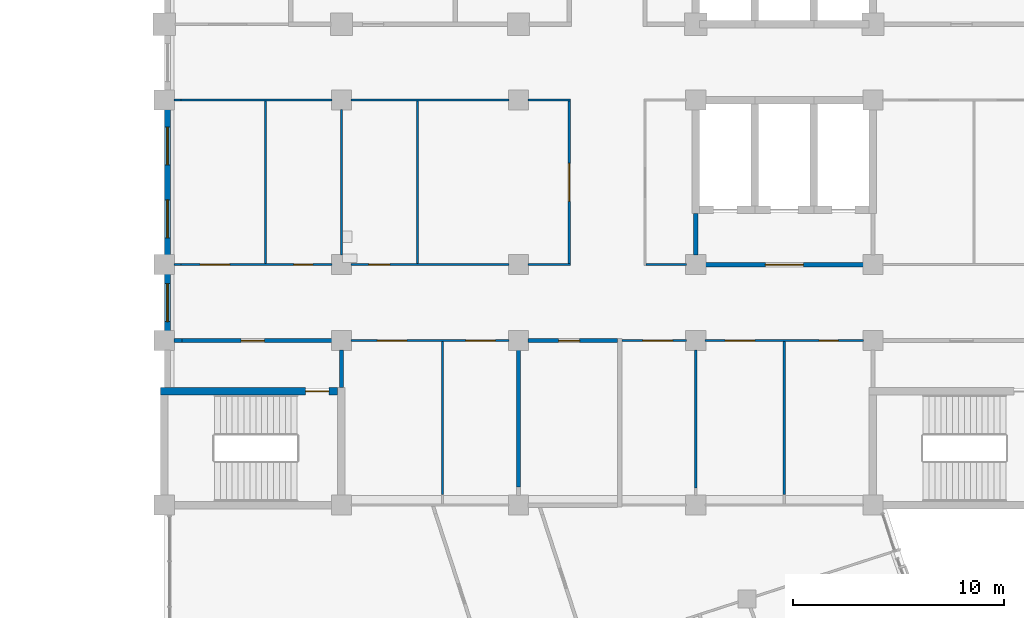
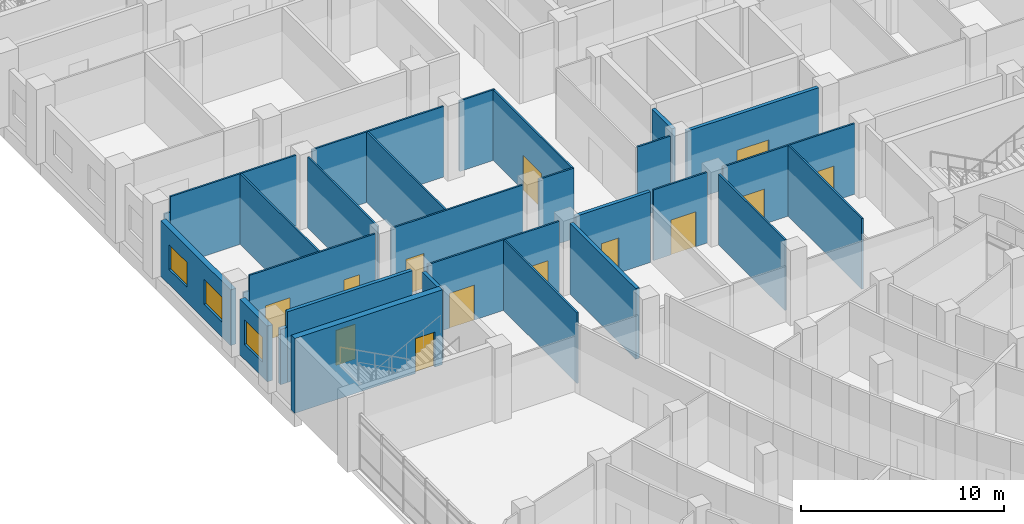
# One storey, part 67 of 136: 29 walls, 13 doors, 3 windows, 16 openings.
"""IFC4 building model written with IfcOpenShell, lengths in metres."""

from ifc_helpers import new_model, si_unit, direction, frame, frame_2d, origin, place, context, subcontext, project, spatial, rectangle, extrude, material, layer, layer_set, type_object, element, fill, save


model = new_model("IFC4")

# Units and contexts
model_context = context("Model", 3, precision=1e-05, world=origin(), true_north=direction((0.0, 1.0)))
body_context = subcontext(model_context, "Body", "Model", "MODEL_VIEW")
ifc_project = project(units=[si_unit("LENGTHUNIT", "METRE"), si_unit("AREAUNIT", "SQUARE_METRE"), si_unit("VOLUMEUNIT", "CUBIC_METRE"), si_unit("PLANEANGLEUNIT", "RADIAN"), si_unit("MASSUNIT", "GRAM", prefix="KILO")], contexts=[model_context])

# Site, building, storey
site_placement = place(None, origin())
site = spatial("IfcSite", under=ifc_project, at=site_placement, CompositionType="ELEMENT")
building_placement = place(site_placement, origin())
building = spatial("IfcBuilding", under=site, at=building_placement, Name="Bougainvillea Quay General Hospital", CompositionType="ELEMENT")
storey_placement = place(building_placement, frame((0.0, 0.0, 5.39990234375)))
storey = spatial("IfcBuildingStorey", under=building, at=storey_placement, Name="L01", CompositionType="ELEMENT", Elevation=5.39990234375)

# Wall, openings, windows
ifc_material_1 = material(Name="Pale stone rainscreen cladding on insulated masonry backing, pale stone", Category="masonry")
ifc_layer_1 = layer(ifc_material_1, 0.300048828125)
ifc_layer_set_1 = layer_set([ifc_layer_1], Name="Pale stone rainscreen cladding on insulated masonry backing, pale stone")
wall_type_1 = type_object("IfcWallType", Name="External wall pale stone rainscreen 300", PredefinedType="STANDARD", material=ifc_layer_set_1)
wall_1_placement = place(storey_placement, frame((42.14990234375, 136.35009765625, 0.0), z_axis=(0.0, 0.0, 1.0), x_axis=(0.0, -1.0, 0.0)))
wall_1 = element("IfcWall", 1, at=wall_1_placement, inside=storey, type_object=wall_type_1, Name="External wall wall/V4/L01/p0/10e", PredefinedType="STANDARD", context=body_context, shape_type="SweptSolid", body=[
    extrude(rectangle(XDim=6.900146484375, YDim=0.300048828125, at=frame_2d((3.4501953125, 0.0))), origin(), (0.0, 0.0, 1.0), 3.35009765625),
])
opening_1_placement = place(wall_1_placement, frame((0.824951171875, 0.0, 0.89990234375)))
opening_1 = element("IfcOpeningElement", 2, at=opening_1_placement, cuts=wall_1, Name="Opening W1", PredefinedType="OPENING", context=body_context, shape_type="SweptSolid", body=[
    extrude(rectangle(XDim=1.800048828125, YDim=1.5, at=frame_2d((0.89990234375, 0.75))), frame((0.0, 0.159912109375, 0.0), z_axis=(0.0, -1.0, 0.0), x_axis=(1.0, 0.0, 0.0)), (0.0, 0.0, 1.0), 0.320068359375),
])
opening_2_placement = place(wall_1_placement, frame((4.27490234375, 0.0, 0.89990234375)))
opening_2 = element("IfcOpeningElement", 3, at=opening_2_placement, cuts=wall_1, Name="Opening W1", PredefinedType="OPENING", context=body_context, shape_type="SweptSolid", body=[
    extrude(rectangle(XDim=1.800048828125, YDim=1.5, at=frame_2d((0.89990234375, 0.75))), frame((0.0, 0.159912109375, 0.0), z_axis=(0.0, -1.0, 0.0), x_axis=(1.0, 0.0, 0.0)), (0.0, 0.0, 1.0), 0.320068359375),
])
ifc_material_2 = material(Name="Aluminium window frame with low-e double glazed unit", Category="aluminium")
window_type = type_object("IfcWindowType", Name="Window W1 1800x1500", PartitioningType="DOUBLE_PANEL_VERTICAL", PredefinedType="WINDOW", material=ifc_material_2)
window_1_placement = place(opening_1_placement, origin())
window_1 = element("IfcWindow", 4, at=window_1_placement, inside=storey, type_object=window_type, Name="Window W1 1", OverallHeight=1.5, OverallWidth=1.800048828125, PartitioningType="SINGLE_PANEL", PredefinedType="WINDOW", context=body_context, shape_type="SweptSolid", body=[
    extrude(rectangle(XDim=1.800048828125, YDim=1.5, at=frame_2d((0.89990234375, 0.75))), frame((0.0, 0.030029296875, 0.0), z_axis=(0.0, -1.0, 0.0), x_axis=(1.0, 0.0, 0.0)), (0.0, 0.0, 1.0), 0.06005859375),
])
fill(opening_1, window_1)
window_2_placement = place(opening_2_placement, origin())
window_2 = element("IfcWindow", 5, at=window_2_placement, inside=storey, type_object=window_type, Name="Window W1 2", OverallHeight=1.5, OverallWidth=1.800048828125, PartitioningType="SINGLE_PANEL", PredefinedType="WINDOW", context=body_context, shape_type="SweptSolid", body=[
    extrude(rectangle(XDim=1.800048828125, YDim=1.5, at=frame_2d((0.89990234375, 0.75))), frame((0.0, 0.030029296875, 0.0), z_axis=(0.0, -1.0, 0.0), x_axis=(1.0, 0.0, 0.0)), (0.0, 0.0, 1.0), 0.06005859375),
])
fill(opening_2, window_2)

# Wall, opening, window
wall_2_placement = place(storey_placement, frame((42.14990234375, 128.550048828125, 0.0), z_axis=(0.0, 0.0, 1.0), x_axis=(0.0, -1.0, 0.0)))
wall_2 = element("IfcWall", 6, at=wall_2_placement, inside=storey, type_object=wall_type_1, Name="External wall wall/V4/L01/p0/10f", PredefinedType="STANDARD", context=body_context, shape_type="SweptSolid", body=[
    extrude(rectangle(XDim=2.699951171875, YDim=0.300048828125, at=frame_2d((1.35009765625, 0.0))), origin(), (0.0, 0.0, 1.0), 3.35009765625),
])
opening_3_placement = place(wall_2_placement, frame((0.449951171875, 0.0, 0.89990234375)))
opening_3 = element("IfcOpeningElement", 7, at=opening_3_placement, cuts=wall_2, Name="Opening W1", PredefinedType="OPENING", context=body_context, shape_type="SweptSolid", body=[
    extrude(rectangle(XDim=1.800048828125, YDim=1.5, at=frame_2d((0.89990234375, 0.75))), frame((0.0, 0.159912109375, 0.0), z_axis=(0.0, -1.0, 0.0), x_axis=(1.0, 0.0, 0.0)), (0.0, 0.0, 1.0), 0.320068359375),
])
window_3_placement = place(opening_3_placement, origin())
window_3 = element("IfcWindow", 8, at=window_3_placement, inside=storey, type_object=window_type, Name="Window W1 1", OverallHeight=1.5, OverallWidth=1.800048828125, PartitioningType="SINGLE_PANEL", PredefinedType="WINDOW", context=body_context, shape_type="SweptSolid", body=[
    extrude(rectangle(XDim=1.800048828125, YDim=1.5, at=frame_2d((0.89990234375, 0.75))), frame((0.0, 0.030029296875, 0.0), z_axis=(0.0, -1.0, 0.0), x_axis=(1.0, 0.0, 0.0)), (0.0, 0.0, 1.0), 0.06005859375),
])
fill(opening_3, window_3)

# Wall
ifc_material_3 = material(Name="Gypsum board partition on steel studs", Category="steel")
ifc_layer_2 = layer(ifc_material_3, 0.10009765625)
ifc_layer_set_2 = layer_set([ifc_layer_2], Name="Gypsum board partition on steel studs")
wall_type_2 = type_object("IfcWallType", Name="Partition 100 Gypsum board partition", PredefinedType="PARTITIONING", material=ifc_layer_set_2)
wall_3_placement = place(storey_placement, frame((61.25, 129.0, 0.0), z_axis=(0.0, 0.0, 1.0), x_axis=(-1.0, 0.0, 0.0)))
element("IfcWall", 9, at=wall_3_placement, inside=storey, type_object=wall_type_2, Name="Partition 100 mm", PredefinedType="PARTITIONING", context=body_context, shape_type="SweptSolid", body=[
    extrude(rectangle(XDim=2.0, YDim=0.10009765625, at=frame_2d((1.0, 0.0))), origin(), (0.0, 0.0, 1.0), 4.25),
])

# Wall, opening, door
wall_4_placement = place(storey_placement, frame((58.35009765625, 129.0, 0.0), z_axis=(0.0, 0.0, 1.0), x_axis=(-1.0, 0.0, 0.0)))
wall_4 = element("IfcWall", 10, at=wall_4_placement, inside=storey, type_object=wall_type_2, Name="Partition 100 mm", PredefinedType="PARTITIONING", context=body_context, shape_type="SweptSolid", body=[
    extrude(rectangle(XDim=7.5, YDim=0.10009765625, at=frame_2d((3.75, 0.0))), origin(), (0.0, 0.0, 1.0), 4.25),
])
opening_4_placement = place(wall_4_placement, frame((5.64990234375, 0.0, 0.0)))
opening_4 = element("IfcOpeningElement", 11, at=opening_4_placement, cuts=wall_4, Name="Opening L01.138", PredefinedType="OPENING", context=body_context, shape_type="SweptSolid", body=[
    extrude(rectangle(XDim=1.0, YDim=2.10009765625, at=frame_2d((0.5, 1.050048828125))), frame((0.0, 0.06005859375, 0.0), z_axis=(0.0, -1.0, 0.0), x_axis=(1.0, 0.0, 0.0)), (0.0, 0.0, 1.0), 0.1201171875),
])
ifc_material_4 = material(Name="Solid-core timber door leaf in steel frame", Category="steel")
door_type_1 = type_object("IfcDoorType", Name="Single leaf door 1000x2100", OperationType="NOTDEFINED", PredefinedType="DOOR", material=ifc_material_4)
door_1_placement = place(opening_4_placement, frame((1.0, 0.0, 0.0), z_axis=(0.0, 0.0, 1.0), x_axis=(-1.0, 0.0, 0.0)))
door_1 = element("IfcDoor", 12, at=door_1_placement, inside=storey, type_object=door_type_1, Name="DT06 L01.138", OperationType="SINGLE_SWING_LEFT", OverallHeight=2.10009765625, OverallWidth=1.0, PredefinedType="DOOR", context=body_context, shape_type="SweptSolid", body=[
    extrude(rectangle(XDim=1.0, YDim=2.10009765625, at=frame_2d((0.5, 1.050048828125))), frame((0.0, 0.02490234375, 0.0), z_axis=(0.0, -1.0, 0.0), x_axis=(1.0, 0.0, 0.0)), (0.0, 0.0, 1.0), 0.050048828125),
])
fill(opening_4, door_1)

# Wall, openings, doors
wall_5_placement = place(storey_placement, frame((49.949951171875, 129.0, 0.0), z_axis=(0.0, 0.0, 1.0), x_axis=(-1.0, 0.0, 0.0)))
wall_5 = element("IfcWall", 13, at=wall_5_placement, inside=storey, type_object=wall_type_2, Name="Partition 100 mm", PredefinedType="PARTITIONING", context=body_context, shape_type="SweptSolid", body=[
    extrude(rectangle(XDim=7.14990234375, YDim=0.10009765625, at=frame_2d((3.574951171875, 0.0))), origin(), (0.0, 0.0, 1.0), 4.25),
])
opening_5_placement = place(wall_5_placement, frame((4.85009765625, 0.0, 0.0)))
opening_5 = element("IfcOpeningElement", 14, at=opening_5_placement, cuts=wall_5, Name="Opening L01.136", PredefinedType="OPENING", context=body_context, shape_type="SweptSolid", body=[
    extrude(rectangle(XDim=1.39990234375, YDim=2.10009765625, at=frame_2d((0.699951171875, 1.050048828125))), frame((0.0, 0.06005859375, 0.0), z_axis=(0.0, -1.0, 0.0), x_axis=(1.0, 0.0, 0.0)), (0.0, 0.0, 1.0), 0.1201171875),
])
opening_6_placement = place(wall_5_placement, frame((0.89990234375, 0.0, 0.0)))
opening_6 = element("IfcOpeningElement", 15, at=opening_6_placement, cuts=wall_5, Name="Opening L01.137", PredefinedType="OPENING", context=body_context, shape_type="SweptSolid", body=[
    extrude(rectangle(XDim=0.89990234375, YDim=2.10009765625, at=frame_2d((0.449951171875, 1.050048828125))), frame((0.0, 0.06005859375, 0.0), z_axis=(0.0, -1.0, 0.0), x_axis=(1.0, 0.0, 0.0)), (0.0, 0.0, 1.0), 0.1201171875),
])
ifc_material_5 = material(Name="Solid-core timber door leaves in steel frame", Category="steel")
door_type_2 = type_object("IfcDoorType", Name="Bed door pair 1400x2100", OperationType="DOUBLE_DOOR_SINGLE_SWING", PredefinedType="DOOR", material=ifc_material_5)
door_2_placement = place(opening_5_placement, frame((1.39990234375, 0.0, 0.0), z_axis=(0.0, 0.0, 1.0), x_axis=(-1.0, 0.0, 0.0)))
door_2 = element("IfcDoor", 16, at=door_2_placement, inside=storey, type_object=door_type_2, Name="DT09 L01.136", OperationType="DOUBLE_DOOR_SINGLE_SWING", OverallHeight=2.10009765625, OverallWidth=1.39990234375, PredefinedType="DOOR", context=body_context, shape_type="SweptSolid", body=[
    extrude(rectangle(XDim=1.39990234375, YDim=2.10009765625, at=frame_2d((0.699951171875, 1.050048828125))), frame((0.0, 0.02490234375, 0.0), z_axis=(0.0, -1.0, 0.0), x_axis=(1.0, 0.0, 0.0)), (0.0, 0.0, 1.0), 0.050048828125),
])
fill(opening_5, door_2)
door_type_3 = type_object("IfcDoorType", Name="Single leaf door 900x2100", OperationType="NOTDEFINED", PredefinedType="DOOR", material=ifc_material_4)
door_3_placement = place(opening_6_placement, frame((0.89990234375, 0.0, 0.0), z_axis=(0.0, 0.0, 1.0), x_axis=(-1.0, 0.0, 0.0)))
door_3 = element("IfcDoor", 17, at=door_3_placement, inside=storey, type_object=door_type_3, Name="DT07 L01.137", OperationType="SINGLE_SWING_RIGHT", OverallHeight=2.10009765625, OverallWidth=0.89990234375, PredefinedType="DOOR", context=body_context, shape_type="SweptSolid", body=[
    extrude(rectangle(XDim=0.89990234375, YDim=2.10009765625, at=frame_2d((0.449951171875, 1.050048828125))), frame((0.0, 0.02490234375, 0.0), z_axis=(0.0, -1.0, 0.0), x_axis=(1.0, 0.0, 0.0)), (0.0, 0.0, 1.0), 0.050048828125),
])
fill(opening_6, door_3)

# Walls
wall_6_placement = place(storey_placement, frame((42.800048828125, 129.0, 0.0), z_axis=(0.0, 0.0, 1.0), x_axis=(-1.0, 0.0, 0.0)))
element("IfcWall", 18, at=wall_6_placement, inside=storey, type_object=wall_type_2, Name="Partition 100 mm", PredefinedType="PARTITIONING", context=body_context, shape_type="SweptSolid", body=[
    extrude(rectangle(XDim=0.35009765625, YDim=0.10009765625, at=frame_2d((0.175048828125, 0.0))), origin(), (0.0, 0.0, 1.0), 3.330078125),
])
wall_7_placement = place(storey_placement, frame((61.25, 136.800048828125, 0.0), z_axis=(0.0, 0.0, 1.0), x_axis=(-1.0, 0.0, 0.0)))
element("IfcWall", 19, at=wall_7_placement, inside=storey, type_object=wall_type_2, Name="Partition 100 mm", PredefinedType="PARTITIONING", context=body_context, shape_type="SweptSolid", body=[
    extrude(rectangle(XDim=2.0, YDim=0.10009765625, at=frame_2d((1.0, 0.0))), origin(), (0.0, 0.0, 1.0), 4.25),
])
wall_8_placement = place(storey_placement, frame((58.35009765625, 136.800048828125, 0.0), z_axis=(0.0, 0.0, 1.0), x_axis=(-1.0, 0.0, 0.0)))
element("IfcWall", 20, at=wall_8_placement, inside=storey, type_object=wall_type_2, Name="Partition 100 mm", PredefinedType="PARTITIONING", context=body_context, shape_type="SweptSolid", body=[
    extrude(rectangle(XDim=7.5, YDim=0.10009765625, at=frame_2d((3.75, 0.0))), origin(), (0.0, 0.0, 1.0), 4.25),
])
wall_9_placement = place(storey_placement, frame((49.949951171875, 136.800048828125, 0.0), z_axis=(0.0, 0.0, 1.0), x_axis=(-1.0, 0.0, 0.0)))
element("IfcWall", 21, at=wall_9_placement, inside=storey, type_object=wall_type_2, Name="Partition 100 mm", PredefinedType="PARTITIONING", context=body_context, shape_type="SweptSolid", body=[
    extrude(rectangle(XDim=7.14990234375, YDim=0.10009765625, at=frame_2d((3.574951171875, 0.0))), origin(), (0.0, 0.0, 1.0), 4.25),
])
wall_10_placement = place(storey_placement, frame((42.800048828125, 136.800048828125, 0.0), z_axis=(0.0, 0.0, 1.0), x_axis=(-1.0, 0.0, 0.0)))
element("IfcWall", 22, at=wall_10_placement, inside=storey, type_object=wall_type_2, Name="Partition 100 mm", PredefinedType="PARTITIONING", context=body_context, shape_type="SweptSolid", body=[
    extrude(rectangle(XDim=0.35009765625, YDim=0.10009765625, at=frame_2d((0.175048828125, 0.0))), origin(), (0.0, 0.0, 1.0), 3.330078125),
])

# Wall, openings, doors
wall_11_placement = place(storey_placement, frame((75.14990234375, 125.39990234375, 0.0), z_axis=(0.0, 0.0, 1.0), x_axis=(-1.0, 0.0, 0.0)))
wall_11 = element("IfcWall", 23, at=wall_11_placement, inside=storey, type_object=wall_type_2, Name="Partition 100 mm", PredefinedType="PARTITIONING", context=body_context, shape_type="SweptSolid", body=[
    extrude(rectangle(XDim=7.5, YDim=0.10009765625, at=frame_2d((3.75, 0.0))), origin(), (0.0, 0.0, 1.0), 4.25),
])
opening_7_placement = place(wall_11_placement, frame((5.152099609375, 0.0, 0.0)))
opening_7 = element("IfcOpeningElement", 24, at=opening_7_placement, cuts=wall_11, Name="Opening L01.134", PredefinedType="OPENING", context=body_context, shape_type="SweptSolid", body=[
    extrude(rectangle(XDim=1.39990234375, YDim=2.10009765625, at=frame_2d((0.699951171875, 1.050048828125))), frame((0.0, 0.06005859375, 0.0), z_axis=(0.0, -1.0, 0.0), x_axis=(1.0, 0.0, 0.0)), (0.0, 0.0, 1.0), 0.1201171875),
])
opening_8_placement = place(wall_11_placement, frame((1.200927734375, 0.0, 0.0)))
opening_8 = element("IfcOpeningElement", 25, at=opening_8_placement, cuts=wall_11, Name="Opening L01.135", PredefinedType="OPENING", context=body_context, shape_type="SweptSolid", body=[
    extrude(rectangle(XDim=0.89990234375, YDim=2.10009765625, at=frame_2d((0.449951171875, 1.050048828125))), frame((0.0, 0.06005859375, 0.0), z_axis=(0.0, -1.0, 0.0), x_axis=(1.0, 0.0, 0.0)), (0.0, 0.0, 1.0), 0.1201171875),
])
door_4_placement = place(opening_7_placement, origin())
door_4 = element("IfcDoor", 26, at=door_4_placement, inside=storey, type_object=door_type_2, Name="DT09 L01.134", OperationType="DOUBLE_DOOR_SINGLE_SWING", OverallHeight=2.10009765625, OverallWidth=1.39990234375, PredefinedType="DOOR", context=body_context, shape_type="SweptSolid", body=[
    extrude(rectangle(XDim=1.39990234375, YDim=2.10009765625, at=frame_2d((0.699951171875, 1.050048828125))), frame((0.0, 0.02490234375, 0.0), z_axis=(0.0, -1.0, 0.0), x_axis=(1.0, 0.0, 0.0)), (0.0, 0.0, 1.0), 0.050048828125),
])
fill(opening_7, door_4)
door_5_placement = place(opening_8_placement, origin())
door_5 = element("IfcDoor", 27, at=door_5_placement, inside=storey, type_object=door_type_3, Name="DT07 L01.135", OperationType="SINGLE_SWING_LEFT", OverallHeight=2.10009765625, OverallWidth=0.89990234375, PredefinedType="DOOR", context=body_context, shape_type="SweptSolid", body=[
    extrude(rectangle(XDim=0.89990234375, YDim=2.10009765625, at=frame_2d((0.449951171875, 1.050048828125))), frame((0.0, 0.02490234375, 0.0), z_axis=(0.0, -1.0, 0.0), x_axis=(1.0, 0.0, 0.0)), (0.0, 0.0, 1.0), 0.050048828125),
])
fill(opening_8, door_5)

# Wall, opening, door
wall_12_placement = place(storey_placement, frame((66.75, 125.39990234375, 0.0), z_axis=(0.0, 0.0, 1.0), x_axis=(-1.0, 0.0, 0.0)))
wall_12 = element("IfcWall", 28, at=wall_12_placement, inside=storey, type_object=wall_type_2, Name="Partition 100 mm", PredefinedType="PARTITIONING", context=body_context, shape_type="SweptSolid", body=[
    extrude(rectangle(XDim=3.052001953125, YDim=0.10009765625, at=frame_2d((1.52587890625, 0.0))), origin(), (0.0, 0.0, 1.0), 4.25),
])
opening_9_placement = place(wall_12_placement, frame((0.652099609375, 0.0, 0.0)))
opening_9 = element("IfcOpeningElement", 29, at=opening_9_placement, cuts=wall_12, Name="Opening L01.133", PredefinedType="OPENING", context=body_context, shape_type="SweptSolid", body=[
    extrude(rectangle(XDim=1.39990234375, YDim=2.10009765625, at=frame_2d((0.699951171875, 1.050048828125))), frame((0.0, 0.06005859375, 0.0), z_axis=(0.0, -1.0, 0.0), x_axis=(1.0, 0.0, 0.0)), (0.0, 0.0, 1.0), 0.1201171875),
])
door_6_placement = place(opening_9_placement, origin())
door_6 = element("IfcDoor", 30, at=door_6_placement, inside=storey, type_object=door_type_2, Name="DT09 L01.133", OperationType="DOUBLE_DOOR_SINGLE_SWING", OverallHeight=2.10009765625, OverallWidth=1.39990234375, PredefinedType="DOOR", context=body_context, shape_type="SweptSolid", body=[
    extrude(rectangle(XDim=1.39990234375, YDim=2.10009765625, at=frame_2d((0.699951171875, 1.050048828125))), frame((0.0, 0.02490234375, 0.0), z_axis=(0.0, -1.0, 0.0), x_axis=(1.0, 0.0, 0.0)), (0.0, 0.0, 1.0), 0.050048828125),
])
fill(opening_9, door_6)

# Wall, openings, doors
wall_13_placement = place(storey_placement, frame((50.85009765625, 125.39990234375, 0.0), z_axis=(0.0, 0.0, 1.0), x_axis=(1.0, 0.0, 0.0)))
wall_13 = element("IfcWall", 31, at=wall_13_placement, inside=storey, type_object=wall_type_2, Name="Partition 100 mm", PredefinedType="PARTITIONING", context=body_context, shape_type="SweptSolid", body=[
    extrude(rectangle(XDim=7.5, YDim=0.10009765625, at=frame_2d((3.75, 0.0))), origin(), (0.0, 0.0, 1.0), 4.25),
])
opening_10_placement = place(wall_13_placement, frame((1.2490234375, 0.0, 0.0)))
opening_10 = element("IfcOpeningElement", 32, at=opening_10_placement, cuts=wall_13, Name="Opening L01.130", PredefinedType="OPENING", context=body_context, shape_type="SweptSolid", body=[
    extrude(rectangle(XDim=1.39990234375, YDim=2.10009765625, at=frame_2d((0.699951171875, 1.050048828125))), frame((0.0, 0.06005859375, 0.0), z_axis=(0.0, -1.0, 0.0), x_axis=(1.0, 0.0, 0.0)), (0.0, 0.0, 1.0), 0.1201171875),
])
opening_11_placement = place(wall_13_placement, frame((5.447998046875, 0.0, 0.0)))
opening_11 = element("IfcOpeningElement", 33, at=opening_11_placement, cuts=wall_13, Name="Opening L01.131", PredefinedType="OPENING", context=body_context, shape_type="SweptSolid", body=[
    extrude(rectangle(XDim=1.39990234375, YDim=2.10009765625, at=frame_2d((0.699951171875, 1.050048828125))), frame((0.0, 0.06005859375, 0.0), z_axis=(0.0, -1.0, 0.0), x_axis=(1.0, 0.0, 0.0)), (0.0, 0.0, 1.0), 0.1201171875),
])
door_7_placement = place(opening_10_placement, frame((1.39990234375, 0.0, 0.0), z_axis=(0.0, 0.0, 1.0), x_axis=(-1.0, 0.0, 0.0)))
door_7 = element("IfcDoor", 34, at=door_7_placement, inside=storey, type_object=door_type_2, Name="DT09 L01.130", OperationType="DOUBLE_DOOR_SINGLE_SWING", OverallHeight=2.10009765625, OverallWidth=1.39990234375, PredefinedType="DOOR", context=body_context, shape_type="SweptSolid", body=[
    extrude(rectangle(XDim=1.39990234375, YDim=2.10009765625, at=frame_2d((0.699951171875, 1.050048828125))), frame((0.0, 0.02490234375, 0.0), z_axis=(0.0, -1.0, 0.0), x_axis=(1.0, 0.0, 0.0)), (0.0, 0.0, 1.0), 0.050048828125),
])
fill(opening_10, door_7)
door_8_placement = place(opening_11_placement, frame((1.39990234375, 0.0, 0.0), z_axis=(0.0, 0.0, 1.0), x_axis=(-1.0, 0.0, 0.0)))
door_8 = element("IfcDoor", 35, at=door_8_placement, inside=storey, type_object=door_type_2, Name="DT09 L01.131", OperationType="DOUBLE_DOOR_SINGLE_SWING", OverallHeight=2.10009765625, OverallWidth=1.39990234375, PredefinedType="DOOR", context=body_context, shape_type="SweptSolid", body=[
    extrude(rectangle(XDim=1.39990234375, YDim=2.10009765625, at=frame_2d((0.699951171875, 1.050048828125))), frame((0.0, 0.02490234375, 0.0), z_axis=(0.0, -1.0, 0.0), x_axis=(1.0, 0.0, 0.0)), (0.0, 0.0, 1.0), 0.050048828125),
])
fill(opening_11, door_8)

# Walls
wall_14_placement = place(storey_placement, frame((55.197998046875, 118.10009765625, 0.0), z_axis=(0.0, 0.0, 1.0), x_axis=(0.0, 1.0, 0.0)))
element("IfcWall", 36, at=wall_14_placement, inside=storey, type_object=wall_type_2, Name="Partition 100 mm", PredefinedType="PARTITIONING", context=body_context, shape_type="SweptSolid", body=[
    extrude(rectangle(XDim=7.25, YDim=0.10009765625, at=frame_2d((3.625, 0.0))), origin(), (0.0, 0.0, 1.0), 4.25),
])
wall_15_placement = place(storey_placement, frame((67.197998046875, 118.39990234375, 0.0), z_axis=(0.0, 0.0, 1.0), x_axis=(0.0, 1.0, 0.0)))
element("IfcWall", 37, at=wall_15_placement, inside=storey, type_object=wall_type_2, Name="Partition 100 mm", PredefinedType="PARTITIONING", context=body_context, shape_type="SweptSolid", body=[
    extrude(rectangle(XDim=6.550048828125, YDim=0.10009765625, at=frame_2d((3.27490234375, 0.0))), origin(), (0.0, 0.0, 1.0), 4.25),
])
wall_16_placement = place(storey_placement, frame((71.39794921875, 118.10009765625, 0.0), z_axis=(0.0, 0.0, 1.0), x_axis=(0.0, 1.0, 0.0)))
element("IfcWall", 38, at=wall_16_placement, inside=storey, type_object=wall_type_2, Name="Partition 100 mm", PredefinedType="PARTITIONING", context=body_context, shape_type="SweptSolid", body=[
    extrude(rectangle(XDim=7.25, YDim=0.10009765625, at=frame_2d((3.625, 0.0))), origin(), (0.0, 0.0, 1.0), 4.25),
])
wall_17_placement = place(storey_placement, frame((46.800048828125, 129.050048828125, 0.0), z_axis=(0.0, 0.0, 1.0), x_axis=(0.0, 1.0, 0.0)))
element("IfcWall", 39, at=wall_17_placement, inside=storey, type_object=wall_type_2, Name="Partition 100 mm", PredefinedType="PARTITIONING", context=body_context, shape_type="SweptSolid", body=[
    extrude(rectangle(XDim=7.699951171875, YDim=0.10009765625, at=frame_2d((3.85009765625, 0.0))), origin(), (0.0, 0.0, 1.0), 4.25),
])
wall_18_placement = place(storey_placement, frame((50.39990234375, 129.449951171875, 0.0), z_axis=(0.0, 0.0, 1.0), x_axis=(0.0, 1.0, 0.0)))
element("IfcWall", 40, at=wall_18_placement, inside=storey, type_object=wall_type_2, Name="Partition 100 mm", PredefinedType="PARTITIONING", context=body_context, shape_type="SweptSolid", body=[
    extrude(rectangle(XDim=6.900146484375, YDim=0.10009765625, at=frame_2d((3.4501953125, 0.0))), origin(), (0.0, 0.0, 1.0), 4.25),
])
wall_19_placement = place(storey_placement, frame((54.0, 129.050048828125, 0.0), z_axis=(0.0, 0.0, 1.0), x_axis=(0.0, 1.0, 0.0)))
element("IfcWall", 41, at=wall_19_placement, inside=storey, type_object=wall_type_2, Name="Partition 100 mm", PredefinedType="PARTITIONING", context=body_context, shape_type="SweptSolid", body=[
    extrude(rectangle(XDim=7.699951171875, YDim=0.10009765625, at=frame_2d((3.85009765625, 0.0))), origin(), (0.0, 0.0, 1.0), 4.25),
])

# Wall, opening, door
wall_20_placement = place(storey_placement, frame((61.199951171875, 129.050048828125, 0.0), z_axis=(0.0, 0.0, 1.0), x_axis=(0.0, 1.0, 0.0)))
wall_20 = element("IfcWall", 42, at=wall_20_placement, inside=storey, type_object=wall_type_2, Name="Partition 100 mm", PredefinedType="PARTITIONING", context=body_context, shape_type="SweptSolid", body=[
    extrude(rectangle(XDim=7.699951171875, YDim=0.10009765625, at=frame_2d((3.85009765625, 0.0))), origin(), (0.0, 0.0, 1.0), 4.25),
])
opening_12_placement = place(wall_20_placement, frame((2.949951171875, 0.0, 0.0)))
opening_12 = element("IfcOpeningElement", 43, at=opening_12_placement, cuts=wall_20, Name="Opening L01.139", PredefinedType="OPENING", context=body_context, shape_type="SweptSolid", body=[
    extrude(rectangle(XDim=1.800048828125, YDim=2.10009765625, at=frame_2d((0.89990234375, 1.050048828125))), frame((0.0, 0.06005859375, 0.0), z_axis=(0.0, -1.0, 0.0), x_axis=(1.0, 0.0, 0.0)), (0.0, 0.0, 1.0), 0.1201171875),
])
door_type_4 = type_object("IfcDoorType", Name="Double leaf door 1800x2100", OperationType="DOUBLE_DOOR_SINGLE_SWING", PredefinedType="DOOR", material=ifc_material_5)
door_9_placement = place(opening_12_placement, origin())
door_9 = element("IfcDoor", 44, at=door_9_placement, inside=storey, type_object=door_type_4, Name="DT08 L01.139", OperationType="DOUBLE_DOOR_SINGLE_SWING", OverallHeight=2.10009765625, OverallWidth=1.800048828125, PredefinedType="DOOR", context=body_context, shape_type="SweptSolid", body=[
    extrude(rectangle(XDim=1.800048828125, YDim=2.10009765625, at=frame_2d((0.89990234375, 1.050048828125))), frame((0.0, 0.02490234375, 0.0), z_axis=(0.0, -1.0, 0.0), x_axis=(1.0, 0.0, 0.0)), (0.0, 0.0, 1.0), 0.050048828125),
])
fill(opening_12, door_9)

# Walls
wall_21_placement = place(storey_placement, frame((64.85009765625, 129.0, 0.0), z_axis=(0.0, 0.0, 1.0), x_axis=(1.0, 0.0, 0.0)))
element("IfcWall", 45, at=wall_21_placement, inside=storey, type_object=wall_type_2, Name="Partition 100 mm", PredefinedType="PARTITIONING", context=body_context, shape_type="SweptSolid", body=[
    extrude(rectangle(XDim=1.89990234375, YDim=0.10009765625, at=frame_2d((0.949951171875, 0.0))), origin(), (0.0, 0.0, 1.0), 4.25),
])
ifc_material_6 = material(Name="Fire-rated autoclaved aerated block wall, plastered")
ifc_layer_3 = layer(ifc_material_6, 0.199951171875)
ifc_layer_set_3 = layer_set([ifc_layer_3], Name="Fire-rated autoclaved aerated block wall, plastered")
wall_type_3 = type_object("IfcWallType", Name="Partition 200 Fire-rated autoclaved aerated block wall EI 120", PredefinedType="SOLIDWALL", material=ifc_layer_set_3)
wall_22_placement = place(storey_placement, frame((42.449951171875, 125.39990234375, 0.0), z_axis=(0.0, 0.0, 1.0), x_axis=(1.0, 0.0, 0.0)))
element("IfcWall", 46, at=wall_22_placement, inside=storey, type_object=wall_type_3, Name="Partition 200 mm EI 120", PredefinedType="SOLIDWALL", context=body_context, shape_type="SweptSolid", body=[
    extrude(rectangle(XDim=0.400146484375, YDim=0.199951171875, at=frame_2d((0.2001953125, 0.0))), origin(), (0.0, 0.0, 1.0), 3.330078125),
])

# Wall, opening, door
wall_23_placement = place(storey_placement, frame((42.85009765625, 125.39990234375, 0.0), z_axis=(0.0, 0.0, 1.0), x_axis=(1.0, 0.0, 0.0)))
wall_23 = element("IfcWall", 47, at=wall_23_placement, inside=storey, type_object=wall_type_3, Name="Partition 200 mm EI 120", PredefinedType="SOLIDWALL", context=body_context, shape_type="SweptSolid", body=[
    extrude(rectangle(XDim=7.099853515625, YDim=0.199951171875, at=frame_2d((3.5498046875, 0.0))), origin(), (0.0, 0.0, 1.0), 4.25),
])
opening_13_placement = place(wall_23_placement, frame((2.800048828125, 0.0, 0.0)))
opening_13 = element("IfcOpeningElement", 48, at=opening_13_placement, cuts=wall_23, Name="Opening L01.039", PredefinedType="OPENING", context=body_context, shape_type="SweptSolid", body=[
    extrude(rectangle(XDim=1.10009765625, YDim=2.10009765625, at=frame_2d((0.550048828125, 1.050048828125))), frame((0.0, 0.10986328125, 0.0), z_axis=(0.0, -1.0, 0.0), x_axis=(1.0, 0.0, 0.0)), (0.0, 0.0, 1.0), 0.219970703125),
])
ifc_material_7 = material(Name="Steel fire door leaf in steel frame", Category="steel")
door_type_5 = type_object("IfcDoorType", Name="Steel single leaf door 1100x2100 FD60", OperationType="NOTDEFINED", PredefinedType="DOOR", material=ifc_material_7)
door_10_placement = place(opening_13_placement, frame((1.10009765625, 0.0, 0.0), z_axis=(0.0, 0.0, 1.0), x_axis=(-1.0, 0.0, 0.0)))
door_10 = element("IfcDoor", 49, at=door_10_placement, inside=storey, type_object=door_type_5, Name="DT04 L01.039", OperationType="SINGLE_SWING_RIGHT", OverallHeight=2.10009765625, OverallWidth=1.10009765625, PredefinedType="DOOR", context=body_context, shape_type="SweptSolid", body=[
    extrude(rectangle(XDim=1.10009765625, YDim=2.10009765625, at=frame_2d((0.550048828125, 1.050048828125))), frame((0.0, 0.02490234375, 0.0), z_axis=(0.0, -1.0, 0.0), x_axis=(1.0, 0.0, 0.0)), (0.0, 0.0, 1.0), 0.050048828125),
])
fill(opening_13, door_10)

wall_24_placement = place(storey_placement, frame((67.64990234375, 129.0, 0.0), z_axis=(0.0, 0.0, 1.0), x_axis=(1.0, 0.0, 0.0)))
wall_24 = element("IfcWall", 50, at=wall_24_placement, inside=storey, type_object=wall_type_3, Name="Partition 200 mm EI 120", PredefinedType="SOLIDWALL", context=body_context, shape_type="SweptSolid", body=[
    extrude(rectangle(XDim=7.5, YDim=0.199951171875, at=frame_2d((3.75, 0.0))), origin(), (0.0, 0.0, 1.0), 4.25),
])
opening_14_placement = place(wall_24_placement, frame((2.85009765625, 0.0, 0.0)))
opening_14 = element("IfcOpeningElement", 51, at=opening_14_placement, cuts=wall_24, Name="Opening L01.049", PredefinedType="OPENING", context=body_context, shape_type="SweptSolid", body=[
    extrude(rectangle(XDim=1.800048828125, YDim=2.10009765625, at=frame_2d((0.89990234375, 1.050048828125))), frame((0.0, 0.10986328125, 0.0), z_axis=(0.0, -1.0, 0.0), x_axis=(1.0, 0.0, 0.0)), (0.0, 0.0, 1.0), 0.219970703125),
])
ifc_material_8 = material(Name="Steel fire door leaves in steel frame", Category="steel")
door_type_6 = type_object("IfcDoorType", Name="Steel double leaf door 1800x2100 FD60", OperationType="DOUBLE_DOOR_SINGLE_SWING", PredefinedType="DOOR", material=ifc_material_8)
door_11_placement = place(opening_14_placement, origin())
door_11 = element("IfcDoor", 52, at=door_11_placement, inside=storey, type_object=door_type_6, Name="DT05 L01.049", OperationType="DOUBLE_DOOR_SINGLE_SWING", OverallHeight=2.10009765625, OverallWidth=1.800048828125, PredefinedType="DOOR", context=body_context, shape_type="SweptSolid", body=[
    extrude(rectangle(XDim=1.800048828125, YDim=2.10009765625, at=frame_2d((0.89990234375, 1.050048828125))), frame((0.0, 0.02490234375, 0.0), z_axis=(0.0, -1.0, 0.0), x_axis=(1.0, 0.0, 0.0)), (0.0, 0.0, 1.0), 0.050048828125),
])
fill(opening_14, door_11)

# Walls
wall_25_placement = place(storey_placement, frame((67.199951171875, 129.449951171875, 0.0), z_axis=(0.0, 0.0, 1.0), x_axis=(0.0, 1.0, 0.0)))
element("IfcWall", 53, at=wall_25_placement, inside=storey, type_object=wall_type_3, Name="Partition 200 mm EI 120", PredefinedType="SOLIDWALL", context=body_context, shape_type="SweptSolid", body=[
    extrude(rectangle(XDim=1.97509765625, YDim=0.199951171875, at=frame_2d((0.987548828125, 0.0))), origin(), (0.0, 0.0, 1.0), 4.25),
])
wall_26_placement = place(storey_placement, frame((50.39990234375, 123.175048828125, 0.0), z_axis=(0.0, 0.0, 1.0), x_axis=(0.0, 1.0, 0.0)))
element("IfcWall", 54, at=wall_26_placement, inside=storey, type_object=wall_type_3, Name="Partition 200 mm EI 120", PredefinedType="SOLIDWALL", context=body_context, shape_type="SweptSolid", body=[
    extrude(rectangle(XDim=1.77490234375, YDim=0.199951171875, at=frame_2d((0.887451171875, 0.0))), origin(), (0.0, 0.0, 1.0), 4.25),
])
ifc_layer_4 = layer(ifc_material_6, 0.199951171875)
ifc_layer_set_4 = layer_set([ifc_layer_4], Name="Fire-rated autoclaved aerated block wall, plastered")
wall_type_4 = type_object("IfcWallType", Name="Partition 200 Fire-rated autoclaved aerated block wall EI 60", PredefinedType="SOLIDWALL", material=ifc_layer_set_4)
wall_27_placement = place(storey_placement, frame((58.798095703125, 118.449951171875, 0.0), z_axis=(0.0, 0.0, 1.0), x_axis=(0.0, 1.0, 0.0)))
element("IfcWall", 55, at=wall_27_placement, inside=storey, type_object=wall_type_4, Name="Partition 200 mm EI 60", PredefinedType="SOLIDWALL", context=body_context, shape_type="SweptSolid", body=[
    extrude(rectangle(XDim=6.5, YDim=0.199951171875, at=frame_2d((3.25, 0.0))), origin(), (0.0, 0.0, 1.0), 4.25),
])

# Wall, opening, door
wall_28_placement = place(storey_placement, frame((59.25, 125.39990234375, 0.0), z_axis=(0.0, 0.0, 1.0), x_axis=(1.0, 0.0, 0.0)))
wall_28 = element("IfcWall", 56, at=wall_28_placement, inside=storey, type_object=wall_type_4, Name="Partition 200 mm EI 60", PredefinedType="SOLIDWALL", context=body_context, shape_type="SweptSolid", body=[
    extrude(rectangle(XDim=4.248046875, YDim=0.199951171875, at=frame_2d((2.1240234375, 0.0))), origin(), (0.0, 0.0, 1.0), 4.25),
])
opening_15_placement = place(wall_28_placement, frame((1.447998046875, 0.0, 0.0)))
opening_15 = element("IfcOpeningElement", 57, at=opening_15_placement, cuts=wall_28, Name="Opening L01.132", PredefinedType="OPENING", context=body_context, shape_type="SweptSolid", body=[
    extrude(rectangle(XDim=1.0, YDim=2.10009765625, at=frame_2d((0.5, 1.050048828125))), frame((0.0, 0.10986328125, 0.0), z_axis=(0.0, -1.0, 0.0), x_axis=(1.0, 0.0, 0.0)), (0.0, 0.0, 1.0), 0.219970703125),
])
door_type_7 = type_object("IfcDoorType", Name="Steel single leaf door 1000x2100 FD60", OperationType="NOTDEFINED", PredefinedType="DOOR", material=ifc_material_7)
door_12_placement = place(opening_15_placement, frame((1.0, 0.0, 0.0), z_axis=(0.0, 0.0, 1.0), x_axis=(-1.0, 0.0, 0.0)))
door_12 = element("IfcDoor", 58, at=door_12_placement, inside=storey, type_object=door_type_7, Name="DT10 L01.132", OperationType="SINGLE_SWING_RIGHT", OverallHeight=2.10009765625, OverallWidth=1.0, PredefinedType="DOOR", context=body_context, shape_type="SweptSolid", body=[
    extrude(rectangle(XDim=1.0, YDim=2.10009765625, at=frame_2d((0.5, 1.050048828125))), frame((0.0, 0.02490234375, 0.0), z_axis=(0.0, -1.0, 0.0), x_axis=(1.0, 0.0, 0.0)), (0.0, 0.0, 1.0), 0.050048828125),
])
fill(opening_15, door_12)

ifc_material_9 = material(Name="Concrete C40", Category="concrete")
ifc_layer_5 = layer(ifc_material_9, 0.35009765625)
ifc_layer_set_5 = layer_set([ifc_layer_5], Name="Concrete C40")
wall_type_5 = type_object("IfcWallType", Name="RC SHEAR WALL 350 C40", PredefinedType="SHEAR", material=ifc_layer_set_5)
wall_29_placement = place(storey_placement, frame((41.824951171875, 123.0, 0.0), z_axis=(0.0, 0.0, 1.0), x_axis=(1.0, 0.0, 0.0)))
wall_29 = element("IfcWall", 59, at=wall_29_placement, inside=storey, type_object=wall_type_5, Name="Shear wall L01", PredefinedType="SHEAR", context=body_context, shape_type="SweptSolid", body=[
    extrude(rectangle(XDim=8.400146484375, YDim=0.35009765625, at=frame_2d((4.2001953125, 0.0))), origin(), (0.0, 0.0, 1.0), 4.5),
])
opening_16_placement = place(wall_29_placement, frame((6.875, 0.0, 0.0)))
opening_16 = element("IfcOpeningElement", 60, at=opening_16_placement, cuts=wall_29, Name="Opening L01.023", PredefinedType="OPENING", context=body_context, shape_type="SweptSolid", body=[
    extrude(rectangle(XDim=1.10009765625, YDim=2.10009765625, at=frame_2d((0.550048828125, 1.050048828125))), frame((0.0, 0.18505859375, 0.0), z_axis=(0.0, -1.0, 0.0), x_axis=(1.0, 0.0, 0.0)), (0.0, 0.0, 1.0), 0.3701171875),
])
door_13_placement = place(opening_16_placement, frame((1.10009765625, 0.0, 0.0), z_axis=(0.0, 0.0, 1.0), x_axis=(-1.0, 0.0, 0.0)))
door_13 = element("IfcDoor", 61, at=door_13_placement, inside=storey, type_object=door_type_5, Name="DT04 L01.023", OperationType="SINGLE_SWING_LEFT", OverallHeight=2.10009765625, OverallWidth=1.10009765625, PredefinedType="DOOR", context=body_context, shape_type="SweptSolid", body=[
    extrude(rectangle(XDim=1.10009765625, YDim=2.10009765625, at=frame_2d((0.550048828125, 1.050048828125))), frame((0.0, 0.02490234375, 0.0), z_axis=(0.0, -1.0, 0.0), x_axis=(1.0, 0.0, 0.0)), (0.0, 0.0, 1.0), 0.050048828125),
])
fill(opening_16, door_13)

save(model, "model.ifc")
